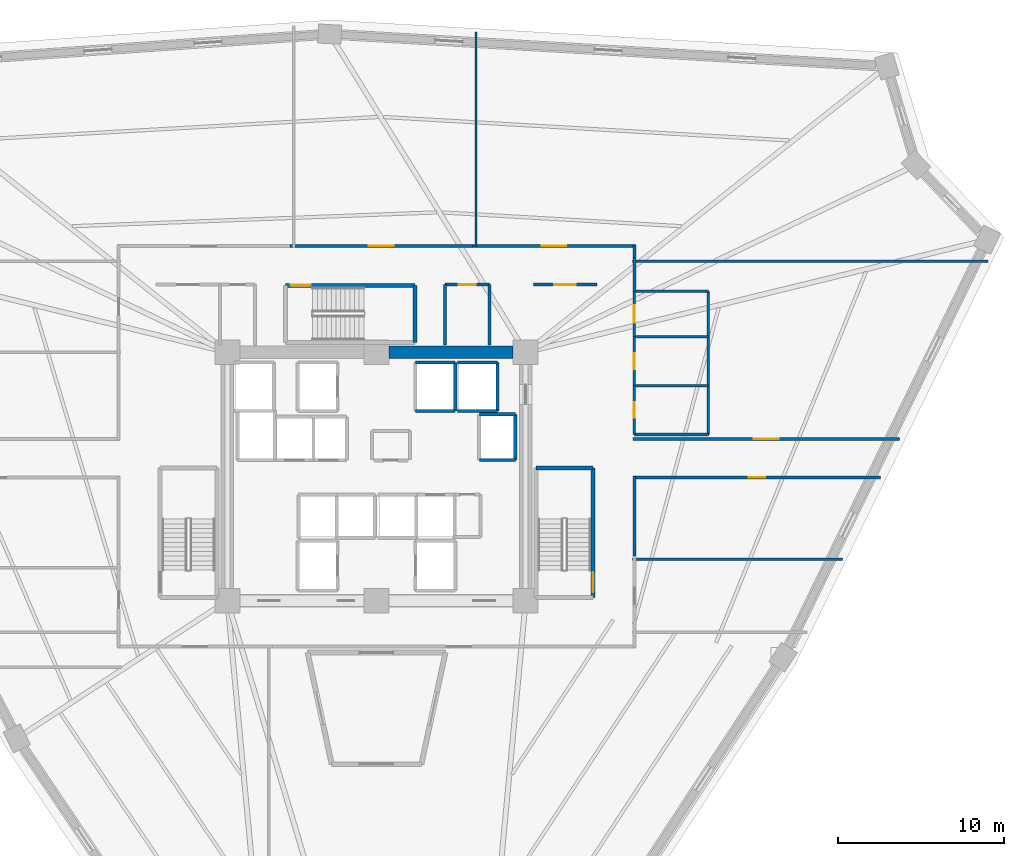
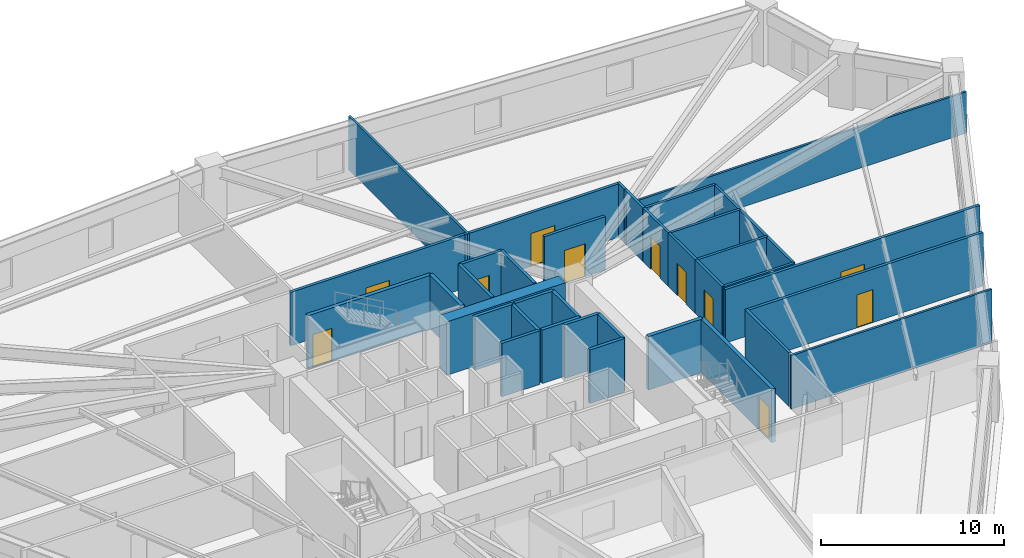
# One storey, part 6 of 9: 36 walls, 11 doors, 11 openings.
"""IFC4 building model written with IfcOpenShell, lengths in metres."""

from ifc_helpers import new_model, si_unit, direction, frame, frame_2d, origin, place, context, subcontext, project, spatial, rectangle, extrude, source, transform, mapped, material, layer, layer_set, type_object, element, fill, save


model = new_model("IFC4")

# Units and contexts
model_context = context("Model", 3, precision=1e-05, world=origin(), true_north=direction((0.0, 1.0)))
body_context = subcontext(model_context, "Body", "Model", "MODEL_VIEW")
ifc_project = project(units=[si_unit("LENGTHUNIT", "METRE"), si_unit("AREAUNIT", "SQUARE_METRE"), si_unit("VOLUMEUNIT", "CUBIC_METRE"), si_unit("PLANEANGLEUNIT", "RADIAN"), si_unit("MASSUNIT", "GRAM", prefix="KILO")], contexts=[model_context])

# Site, building, storey
site_placement = place(None, origin())
site = spatial("IfcSite", under=ifc_project, at=site_placement, CompositionType="ELEMENT")
building_placement = place(site_placement, origin())
building = spatial("IfcBuilding", under=site, at=building_placement, Name="Liaohun Quay Tower", CompositionType="ELEMENT")
storey_placement = place(building_placement, frame((0.0, 0.0, 102.0)))
storey = spatial("IfcBuildingStorey", under=building, at=storey_placement, Name="L26", CompositionType="ELEMENT", Elevation=102.0)

# Wall
ifc_material_1 = material(Name="Concrete C60", Category="concrete")
ifc_layer_1 = layer(ifc_material_1, 0.75, Name="Concrete C60", Category="concrete")
ifc_layer_set_1 = layer_set([ifc_layer_1], Name="Concrete C60")
wall_type_1 = type_object("IfcWallType", Name="WAL-COR-Z2", PredefinedType="SHEAR", material=ifc_layer_set_1)
wall_1_placement = place(storey_placement, frame((60.75, 61.5, 0.0), z_axis=(0.0, 0.0, 1.0), x_axis=(1.0, 0.0, 0.0)))
element("IfcWall", 1, at=wall_1_placement, inside=storey, type_object=wall_type_1, Name="L26 Central Core Shear Wall N-E", PredefinedType="SHEAR", context=body_context, shape_type="SweptSolid", body=[
    extrude(rectangle(XDim=7.5, YDim=0.75, at=frame_2d((3.75, 0.0))), origin(), (0.0, 0.0, 1.0), 3.570068359375),
])

# Wall, opening, door
ifc_material_2 = material(Name="Autoclaved aerated concrete blockwork", Category="masonry")
ifc_layer_2 = layer(ifc_material_2, 0.179931640625, Name="Autoclaved aerated concrete blockwork", Category="masonry")
ifc_layer_set_2 = layer_set([ifc_layer_2], Name="Autoclaved aerated concrete blockwork")
wall_type_2 = type_object("IfcWallType", Name="WAL-PRT-COR", PredefinedType="PARTITIONING", material=ifc_layer_set_2)
wall_2_placement = place(storey_placement, frame((64.139892578125, 65.580078125, 0.0), z_axis=(0.0, 0.0, 1.0), x_axis=(1.0, 0.0, 0.0)))
wall_2 = element("IfcWall", 2, at=wall_2_placement, inside=storey, type_object=wall_type_2, Name="L26 Interior Partition Wall 007", PredefinedType="PARTITIONING", context=body_context, shape_type="SweptSolid", body=[
    extrude(rectangle(XDim=2.670166015625, YDim=0.179931640625, at=frame_2d((1.3349609375, 0.0))), origin(), (0.0, 0.0, 1.0), 3.570068359375),
])
shared_shape_1 = source(origin(), body_context, "Body", "SweptSolid", [
    extrude(rectangle(XDim=1.0, YDim=2.199951171875, at=frame_2d((0.5, 1.10009765625))), frame((0.0, 0.099853515625, 0.0), z_axis=(0.0, -1.0, 0.0), x_axis=(1.0, 0.0, 0.0)), (0.0, 0.0, 1.0), 0.199951171875),
])
opening_1_placement = place(wall_2_placement, frame((0.8349609375, 0.0, 0.0)))
opening_1 = element("IfcOpeningElement", 3, at=opening_1_placement, cuts=wall_2, Name="Opening OD1", PredefinedType="OPENING", context=body_context, shape_type="MappedRepresentation", body=[
    mapped(shared_shape_1, transform((0.0, 0.0, 0.0), x_axis=(1.0, 0.0, 0.0), y_axis=(0.0, 1.0, 0.0), z_axis=(0.0, 0.0, 1.0), scale=1.0)),
])
ifc_material_3 = material(Name="Solid-core oak veneer timber leaf in steel frame", Category="steel")
door_type_1 = type_object("IfcDoorType", Name="DOR-OFF-1000", OperationType="NOTDEFINED", PredefinedType="DOOR", material=ifc_material_3)
shared_shape_2 = source(origin(), body_context, "Body", "SweptSolid", [
    extrude(rectangle(XDim=1.0, YDim=2.199951171875, at=frame_2d((0.5, 1.10009765625))), frame((0.0, 0.02490234375, 0.0), z_axis=(0.0, -1.0, 0.0), x_axis=(1.0, 0.0, 0.0)), (0.0, 0.0, 1.0), 0.050048828125),
])
door_1_placement = place(opening_1_placement, origin())
door_1 = element("IfcDoor", 4, at=door_1_placement, inside=storey, type_object=door_type_1, Name="L26 North-East Server Closet Door", OperationType="SINGLE_SWING_LEFT", OverallHeight=2.199951171875, OverallWidth=1.0, PredefinedType="DOOR", context=body_context, shape_type="MappedRepresentation", body=[
    mapped(shared_shape_2, transform((0.0, 0.0, 0.0), x_axis=(1.0, 0.0, 0.0), y_axis=(0.0, 1.0, 0.0), z_axis=(0.0, 0.0, 1.0), scale=1.0)),
])
fill(opening_1, door_1)

wall_3_placement = place(storey_placement, frame((69.4599609375, 65.580078125, 0.0), z_axis=(0.0, 0.0, 1.0), x_axis=(1.0, 0.0, 0.0)))
wall_3 = element("IfcWall", 5, at=wall_3_placement, inside=storey, type_object=wall_type_2, Name="L26 Interior Partition Wall 009", PredefinedType="PARTITIONING", context=body_context, shape_type="SweptSolid", body=[
    extrude(rectangle(XDim=3.840087890625, YDim=0.179931640625, at=frame_2d((1.919921875, 0.0))), origin(), (0.0, 0.0, 1.0), 3.570068359375),
])
shared_shape_3 = source(origin(), body_context, "Body", "SweptSolid", [
    extrude(rectangle(XDim=1.300048828125, YDim=2.199951171875, at=frame_2d((0.64990234375, 1.10009765625))), frame((0.0, 0.099853515625, 0.0), z_axis=(0.0, -1.0, 0.0), x_axis=(1.0, 0.0, 0.0)), (0.0, 0.0, 1.0), 0.199951171875),
])
opening_2_placement = place(wall_3_placement, frame((1.27001953125, 0.0, 0.0)))
opening_2 = element("IfcOpeningElement", 6, at=opening_2_placement, cuts=wall_3, Name="Opening FD1", PredefinedType="OPENING", context=body_context, shape_type="MappedRepresentation", body=[
    mapped(shared_shape_3, transform((0.0, 0.0, 0.0), x_axis=(1.0, 0.0, 0.0), y_axis=(0.0, 1.0, 0.0), z_axis=(0.0, 0.0, 1.0), scale=1.0)),
])
ifc_material_4 = material(Name="Galvanised steel smokeproof fire door", Category="steel")
door_type_2 = type_object("IfcDoorType", Name="DOR-FFL-1300", OperationType="NOTDEFINED", PredefinedType="DOOR", material=ifc_material_4)
shared_shape_4 = source(origin(), body_context, "Body", "SweptSolid", [
    extrude(rectangle(XDim=1.300048828125, YDim=2.199951171875, at=frame_2d((0.64990234375, 1.10009765625))), frame((0.0, 0.02490234375, 0.0), z_axis=(0.0, -1.0, 0.0), x_axis=(1.0, 0.0, 0.0)), (0.0, 0.0, 1.0), 0.050048828125),
])
door_2_placement = place(opening_2_placement, origin())
door_2 = element("IfcDoor", 7, at=door_2_placement, inside=storey, type_object=door_type_2, Name="L26 East Core Vestibule Door", OperationType="SINGLE_SWING_LEFT", OverallHeight=2.199951171875, OverallWidth=1.300048828125, PredefinedType="DOOR", context=body_context, shape_type="MappedRepresentation", body=[
    mapped(shared_shape_4, transform((0.0, 0.0, 0.0), x_axis=(1.0, 0.0, 0.0), y_axis=(0.0, 1.0, 0.0), z_axis=(0.0, 0.0, 1.0), scale=1.0)),
])
fill(opening_2, door_2)

wall_4_placement = place(storey_placement, frame((75.489990234375, 56.260009765625, 0.0), z_axis=(0.0, 0.0, 1.0), x_axis=(1.0, 0.0, 0.0)))
wall_4 = element("IfcWall", 8, at=wall_4_placement, inside=storey, type_object=wall_type_2, Name="L26 Interior Partition Wall 010", PredefinedType="PARTITIONING", context=body_context, shape_type="SweptSolid", body=[
    extrude(rectangle(XDim=16.06689453125, YDim=0.179931640625, at=frame_2d((8.033447265625, 0.0))), origin(), (0.0, 0.0, 1.0), 3.570068359375),
])
shared_shape_5 = source(origin(), body_context, "Body", "SweptSolid", [
    extrude(rectangle(XDim=1.5, YDim=2.199951171875, at=frame_2d((0.75, 1.10009765625))), frame((0.0, 0.099853515625, 0.0), z_axis=(0.0, -1.0, 0.0), x_axis=(1.0, 0.0, 0.0)), (0.0, 0.0, 1.0), 0.199951171875),
])
opening_3_placement = place(wall_4_placement, frame((7.283935546875, 0.0, 0.0)))
opening_3 = element("IfcOpeningElement", 9, at=opening_3_placement, cuts=wall_4, Name="Opening OD2", PredefinedType="OPENING", context=body_context, shape_type="MappedRepresentation", body=[
    mapped(shared_shape_5, transform((0.0, 0.0, 0.0), x_axis=(1.0, 0.0, 0.0), y_axis=(0.0, 1.0, 0.0), z_axis=(0.0, 0.0, 1.0), scale=1.0)),
])
ifc_material_5 = material(Name="Acoustic oak veneer double door")
door_type_3 = type_object("IfcDoorType", Name="DOR-OFF-1500", OperationType="DOUBLE_DOOR_SINGLE_SWING", PredefinedType="DOOR", material=ifc_material_5)
shared_shape_6 = source(origin(), body_context, "Body", "SweptSolid", [
    extrude(rectangle(XDim=1.5, YDim=2.199951171875, at=frame_2d((0.75, 1.10009765625))), frame((0.0, 0.02490234375, 0.0), z_axis=(0.0, -1.0, 0.0), x_axis=(1.0, 0.0, 0.0)), (0.0, 0.0, 1.0), 0.050048828125),
])
door_3_placement = place(opening_3_placement, origin())
door_3 = element("IfcDoor", 10, at=door_3_placement, inside=storey, type_object=door_type_3, Name="L26 Architectural Design Studio 01 Door", OperationType="DOUBLE_DOOR_SINGLE_SWING", OverallHeight=2.199951171875, OverallWidth=1.5, PredefinedType="DOOR", context=body_context, shape_type="MappedRepresentation", body=[
    mapped(shared_shape_6, transform((0.0, 0.0, 0.0), x_axis=(1.0, 0.0, 0.0), y_axis=(0.0, 1.0, 0.0), z_axis=(0.0, 0.0, 1.0), scale=1.0)),
])
fill(opening_3, door_3)

wall_5_placement = place(storey_placement, frame((65.784912109375, 67.909912109375, 0.0), z_axis=(0.0, 0.0, 1.0), x_axis=(1.0, 0.0, 0.0)))
wall_5 = element("IfcWall", 11, at=wall_5_placement, inside=storey, type_object=wall_type_2, Name="L26 Interior Partition Wall 011", PredefinedType="PARTITIONING", context=body_context, shape_type="SweptSolid", body=[
    extrude(rectangle(XDim=9.844970703125, YDim=0.179931640625, at=frame_2d((4.92236328125, 0.0))), origin(), (0.0, 0.0, 1.0), 3.570068359375),
])
opening_4_placement = place(wall_5_placement, frame((4.172119140625, 0.0, 0.0)))
opening_4 = element("IfcOpeningElement", 12, at=opening_4_placement, cuts=wall_5, Name="Opening OD2", PredefinedType="OPENING", context=body_context, shape_type="MappedRepresentation", body=[
    mapped(shared_shape_5, transform((0.0, 0.0, 0.0), x_axis=(1.0, 0.0, 0.0), y_axis=(0.0, 1.0, 0.0), z_axis=(0.0, 0.0, 1.0), scale=1.0)),
])
door_4_placement = place(opening_4_placement, origin())
door_4 = element("IfcDoor", 13, at=door_4_placement, inside=storey, type_object=door_type_3, Name="L26 Corporate Exhibition Gallery 02 Door", OperationType="DOUBLE_DOOR_SINGLE_SWING", OverallHeight=2.199951171875, OverallWidth=1.5, PredefinedType="DOOR", context=body_context, shape_type="MappedRepresentation", body=[
    mapped(shared_shape_6, transform((0.0, 0.0, 0.0), x_axis=(1.0, 0.0, 0.0), y_axis=(0.0, 1.0, 0.0), z_axis=(0.0, 0.0, 1.0), scale=1.0)),
])
fill(opening_4, door_4)

wall_6_placement = place(storey_placement, frame((54.784912109375, 67.909912109375, 0.0), z_axis=(0.0, 0.0, 1.0), x_axis=(1.0, 0.0, 0.0)))
wall_6 = element("IfcWall", 14, at=wall_6_placement, inside=storey, type_object=wall_type_2, Name="L26 Interior Partition Wall 012", PredefinedType="PARTITIONING", context=body_context, shape_type="SweptSolid", body=[
    extrude(rectangle(XDim=11.0, YDim=0.179931640625, at=frame_2d((5.5, 0.0))), origin(), (0.0, 0.0, 1.0), 3.570068359375),
])
opening_5_placement = place(wall_6_placement, frame((4.75, 0.0, 0.0)))
opening_5 = element("IfcOpeningElement", 15, at=opening_5_placement, cuts=wall_6, Name="Opening OD2", PredefinedType="OPENING", context=body_context, shape_type="MappedRepresentation", body=[
    mapped(shared_shape_5, transform((0.0, 0.0, 0.0), x_axis=(1.0, 0.0, 0.0), y_axis=(0.0, 1.0, 0.0), z_axis=(0.0, 0.0, 1.0), scale=1.0)),
])
door_5_placement = place(opening_5_placement, origin())
door_5 = element("IfcDoor", 16, at=door_5_placement, inside=storey, type_object=door_type_3, Name="L26 Architectural Design Studio 03 Door", OperationType="DOUBLE_DOOR_SINGLE_SWING", OverallHeight=2.199951171875, OverallWidth=1.5, PredefinedType="DOOR", context=body_context, shape_type="MappedRepresentation", body=[
    mapped(shared_shape_6, transform((0.0, 0.0, 0.0), x_axis=(1.0, 0.0, 0.0), y_axis=(0.0, 1.0, 0.0), z_axis=(0.0, 0.0, 1.0), scale=1.0)),
])
fill(opening_5, door_5)

wall_7_placement = place(storey_placement, frame((90.424072265625, 53.93994140625, 0.0), z_axis=(0.0, 0.0, 1.0), x_axis=(-1.0, 0.0, 0.0)))
wall_7 = element("IfcWall", 17, at=wall_7_placement, inside=storey, type_object=wall_type_2, Name="L26 Interior Partition Wall 021", PredefinedType="PARTITIONING", context=body_context, shape_type="SweptSolid", body=[
    extrude(rectangle(XDim=14.93408203125, YDim=0.179931640625, at=frame_2d((7.467041015625, 0.0))), origin(), (0.0, 0.0, 1.0), 3.570068359375),
])
opening_6_placement = place(wall_7_placement, frame((6.967041015625, 0.0, 0.0)))
opening_6 = element("IfcOpeningElement", 18, at=opening_6_placement, cuts=wall_7, Name="Opening OD1", PredefinedType="OPENING", context=body_context, shape_type="MappedRepresentation", body=[
    mapped(shared_shape_1, transform((0.0, 0.0, 0.0), x_axis=(1.0, 0.0, 0.0), y_axis=(0.0, 1.0, 0.0), z_axis=(0.0, 0.0, 1.0), scale=1.0)),
])
door_6_placement = place(opening_6_placement, origin())
door_6 = element("IfcDoor", 19, at=door_6_placement, inside=storey, type_object=door_type_1, Name="L26 Client Reception Office 12 Door", OperationType="SINGLE_SWING_LEFT", OverallHeight=2.199951171875, OverallWidth=1.0, PredefinedType="DOOR", context=body_context, shape_type="MappedRepresentation", body=[
    mapped(shared_shape_2, transform((0.0, 0.0, 0.0), x_axis=(1.0, 0.0, 0.0), y_axis=(0.0, 1.0, 0.0), z_axis=(0.0, 0.0, 1.0), scale=1.0)),
])
fill(opening_6, door_6)

# Walls
for number, where, z_axis, x_axis, name in (
    (20, (64.139892578125, 61.949951171875, 0.0), (0.0, 0.0, 1.0), (0.0, 1.0, 0.0), "L26 Interior Partition Wall 034"),
    (21, (66.81005859375, 61.949951171875, 0.0), (0.0, 0.0, 1.0), (0.0, 1.0, 0.0), "L26 Interior Partition Wall 035"),
):
    element("IfcWall", number, at=place(storey_placement, frame(where, z_axis=z_axis, x_axis=x_axis)), inside=storey, type_object=wall_type_2, Name=name, PredefinedType="PARTITIONING", context=body_context, shape_type="SweptSolid", body=[
        extrude(rectangle(XDim=3.630126953125, YDim=0.179931640625, at=frame_2d((1.81494140625, 0.0))), origin(), (0.0, 0.0, 1.0), 3.570068359375),
    ])
wall_8_placement = place(storey_placement, frame((75.56005859375, 67.215087890625, 0.0), z_axis=(0.0, 0.0, 1.0), x_axis=(0.0, -1.0, 0.0)))
element("IfcWall", 22, at=wall_8_placement, inside=storey, type_object=wall_type_2, Name="L26 Interior Partition Wall 036", PredefinedType="PARTITIONING", context=body_context, shape_type="SweptSolid", body=[
    extrude(rectangle(XDim=2.03515625, YDim=0.179931640625, at=frame_2d((1.017578125, 0.0))), origin(), (0.0, 0.0, 1.0), 3.570068359375),
])
wall_9_placement = place(storey_placement, frame((75.56005859375, 67.97998046875, 0.0), z_axis=(0.0, 0.0, 1.0), x_axis=(0.0, -1.0, 0.0)))
element("IfcWall", 23, at=wall_9_placement, inside=storey, type_object=wall_type_2, Name="L26 Interior Partition Wall 037", PredefinedType="PARTITIONING", context=body_context, shape_type="SweptSolid", body=[
    extrude(rectangle(XDim=0.764892578125, YDim=0.179931640625, at=frame_2d((0.38232421875, 0.0))), origin(), (0.0, 0.0, 1.0), 3.570068359375),
])
wall_10_placement = place(storey_placement, frame((75.56005859375, 54.010009765625, 0.0), z_axis=(0.0, 0.0, 1.0), x_axis=(0.0, -1.0, 0.0)))
element("IfcWall", 24, at=wall_10_placement, inside=storey, type_object=wall_type_2, Name="L26 Interior Partition Wall 043", PredefinedType="PARTITIONING", context=body_context, shape_type="SweptSolid", body=[
    extrude(rectangle(XDim=4.794921875, YDim=0.179931640625, at=frame_2d((2.3974609375, 0.0))), origin(), (0.0, 0.0, 1.0), 3.570068359375),
])
ifc_material_6 = material(Name="Gypsum board on twin steel studs", Category="steel")
ifc_layer_3 = layer(ifc_material_6, 0.139892578125, Name="Gypsum board on twin steel studs", Category="steel")
ifc_layer_set_3 = layer_set([ifc_layer_3], Name="Gypsum board on twin steel studs")
wall_type_3 = type_object("IfcWallType", Name="WAL-PRT-OFF", PredefinedType="PARTITIONING", material=ifc_layer_set_3)
wall_11_placement = place(storey_placement, frame((75.4599609375, 49.0, 0.0), z_axis=(0.0, 0.0, 1.0), x_axis=(1.0, 0.0, 0.0)))
element("IfcWall", 25, at=wall_11_placement, inside=storey, type_object=wall_type_3, Name="L26 Interior Partition Wall 050", PredefinedType="PARTITIONING", context=body_context, shape_type="SweptSolid", body=[
    extrude(rectangle(XDim=12.657958984375, YDim=0.139892578125, at=frame_2d((6.3291015625, 0.0))), origin(), (0.0, 0.0, 1.0), 3.570068359375),
])
wall_12_placement = place(storey_placement, frame((75.4599609375, 67.0, 0.0), z_axis=(0.0, 0.0, 1.0), x_axis=(1.0, 0.0, 0.0)))
element("IfcWall", 26, at=wall_12_placement, inside=storey, type_object=wall_type_3, Name="L26 Interior Partition Wall 051", PredefinedType="PARTITIONING", context=body_context, shape_type="SweptSolid", body=[
    extrude(rectangle(XDim=21.453125, YDim=0.139892578125, at=frame_2d((10.7265625, 0.0))), origin(), (0.0, 0.0, 1.0), 2.7548828125),
])
wall_13_placement = place(storey_placement, frame((66.0, 67.81005859375, 0.0), z_axis=(0.0, 0.0, 1.0), x_axis=(0.0, 1.0, 0.0)))
element("IfcWall", 27, at=wall_13_placement, inside=storey, type_object=wall_type_3, Name="L26 Interior Partition Wall 053", PredefinedType="PARTITIONING", context=body_context, shape_type="SweptSolid", body=[
    extrude(rectangle(XDim=13.008056640625, YDim=0.139892578125, at=frame_2d((6.50390625, 0.0))), origin(), (0.0, 0.0, 1.0), 3.570068359375),
])

# Wall, opening, door
ifc_material_7 = material(Name="Moisture-resistant masonry blockwork", Category="masonry")
ifc_layer_4 = layer(ifc_material_7, 0.159912109375, Name="Moisture-resistant masonry blockwork", Category="masonry")
ifc_layer_set_4 = layer_set([ifc_layer_4], Name="Moisture-resistant masonry blockwork")
wall_type_4 = type_object("IfcWallType", Name="WAL-PRT-WET", PredefinedType="PARTITIONING", material=ifc_layer_set_4)
wall_14_placement = place(storey_placement, frame((75.56005859375, 56.5400390625, 0.0), z_axis=(0.0, 0.0, 1.0), x_axis=(0.0, 1.0, 0.0)))
wall_14 = element("IfcWall", 28, at=wall_14_placement, inside=storey, type_object=wall_type_4, Name="L26 Interior Partition Wall 003", PredefinedType="PARTITIONING", context=body_context, shape_type="SweptSolid", body=[
    extrude(rectangle(XDim=2.93994140625, YDim=0.159912109375, at=frame_2d((1.469970703125, 0.0))), origin(), (0.0, 0.0, 1.0), 3.570068359375),
])
shared_shape_7 = source(origin(), body_context, "Body", "SweptSolid", [
    extrude(rectangle(XDim=0.949951171875, YDim=2.14990234375, at=frame_2d((0.47509765625, 1.074951171875))), frame((0.0, 0.08984375, 0.0), z_axis=(0.0, -1.0, 0.0), x_axis=(1.0, 0.0, 0.0)), (0.0, 0.0, 1.0), 0.179931640625),
])
opening_7_placement = place(wall_14_placement, frame((0.9951171875, 0.0, 0.0)))
opening_7 = element("IfcOpeningElement", 29, at=opening_7_placement, cuts=wall_14, Name="Opening WD1", PredefinedType="OPENING", context=body_context, shape_type="MappedRepresentation", body=[
    mapped(shared_shape_7, transform((0.0, 0.0, 0.0), x_axis=(1.0, 0.0, 0.0), y_axis=(0.0, 1.0, 0.0), z_axis=(0.0, 0.0, 1.0), scale=1.0)),
])
ifc_material_8 = material(Name="Moisture-resistant laminate timber leaf", Category="wood")
door_type_4 = type_object("IfcDoorType", Name="DOR-WC-950", OperationType="NOTDEFINED", PredefinedType="DOOR", material=ifc_material_8)
shared_shape_8 = source(origin(), body_context, "Body", "SweptSolid", [
    extrude(rectangle(XDim=0.949951171875, YDim=2.14990234375, at=frame_2d((0.47509765625, 1.074951171875))), frame((0.0, 0.02490234375, 0.0), z_axis=(0.0, -1.0, 0.0), x_axis=(1.0, 0.0, 0.0)), (0.0, 0.0, 1.0), 0.050048828125),
])
door_7_placement = place(opening_7_placement, origin())
door_7 = element("IfcDoor", 30, at=door_7_placement, inside=storey, type_object=door_type_4, Name="L26 Male Restroom WC Door", OperationType="SINGLE_SWING_LEFT", OverallHeight=2.14990234375, OverallWidth=0.949951171875, PredefinedType="DOOR", context=body_context, shape_type="MappedRepresentation", body=[
    mapped(shared_shape_8, transform((0.0, 0.0, 0.0), x_axis=(1.0, 0.0, 0.0), y_axis=(0.0, 1.0, 0.0), z_axis=(0.0, 0.0, 1.0), scale=1.0)),
])
fill(opening_7, door_7)

wall_15_placement = place(storey_placement, frame((75.56005859375, 59.47998046875, 0.0), z_axis=(0.0, 0.0, 1.0), x_axis=(0.0, 1.0, 0.0)))
wall_15 = element("IfcWall", 31, at=wall_15_placement, inside=storey, type_object=wall_type_4, Name="L26 Interior Partition Wall 004", PredefinedType="PARTITIONING", context=body_context, shape_type="SweptSolid", body=[
    extrude(rectangle(XDim=2.9599609375, YDim=0.159912109375, at=frame_2d((1.47998046875, 0.0))), origin(), (0.0, 0.0, 1.0), 3.570068359375),
])
opening_8_placement = place(wall_15_placement, frame((1.0048828125, 0.0, 0.0)))
opening_8 = element("IfcOpeningElement", 32, at=opening_8_placement, cuts=wall_15, Name="Opening WD1", PredefinedType="OPENING", context=body_context, shape_type="MappedRepresentation", body=[
    mapped(shared_shape_7, transform((0.0, 0.0, 0.0), x_axis=(1.0, 0.0, 0.0), y_axis=(0.0, 1.0, 0.0), z_axis=(0.0, 0.0, 1.0), scale=1.0)),
])
door_8_placement = place(opening_8_placement, origin())
door_8 = element("IfcDoor", 33, at=door_8_placement, inside=storey, type_object=door_type_4, Name="L26 Female Restroom WC Door", OperationType="SINGLE_SWING_RIGHT", OverallHeight=2.14990234375, OverallWidth=0.949951171875, PredefinedType="DOOR", context=body_context, shape_type="MappedRepresentation", body=[
    mapped(shared_shape_8, transform((0.0, 0.0, 0.0), x_axis=(1.0, 0.0, 0.0), y_axis=(0.0, 1.0, 0.0), z_axis=(0.0, 0.0, 1.0), scale=1.0)),
])
fill(opening_8, door_8)

wall_16_placement = place(storey_placement, frame((75.56005859375, 62.43994140625, 0.0), z_axis=(0.0, 0.0, 1.0), x_axis=(0.0, 1.0, 0.0)))
wall_16 = element("IfcWall", 34, at=wall_16_placement, inside=storey, type_object=wall_type_4, Name="L26 Interior Partition Wall 005", PredefinedType="PARTITIONING", context=body_context, shape_type="SweptSolid", body=[
    extrude(rectangle(XDim=2.739990234375, YDim=0.159912109375, at=frame_2d((1.3701171875, 0.0))), origin(), (0.0, 0.0, 1.0), 3.570068359375),
])
shared_shape_9 = source(origin(), body_context, "Body", "SweptSolid", [
    extrude(rectangle(XDim=1.050048828125, YDim=2.14990234375, at=frame_2d((0.52490234375, 1.074951171875))), frame((0.0, 0.08984375, 0.0), z_axis=(0.0, -1.0, 0.0), x_axis=(1.0, 0.0, 0.0)), (0.0, 0.0, 1.0), 0.179931640625),
])
opening_9_placement = place(wall_16_placement, frame((0.844970703125, 0.0, 0.0)))
opening_9 = element("IfcOpeningElement", 35, at=opening_9_placement, cuts=wall_16, Name="Opening WD2", PredefinedType="OPENING", context=body_context, shape_type="MappedRepresentation", body=[
    mapped(shared_shape_9, transform((0.0, 0.0, 0.0), x_axis=(1.0, 0.0, 0.0), y_axis=(0.0, 1.0, 0.0), z_axis=(0.0, 0.0, 1.0), scale=1.0)),
])
ifc_material_9 = material(Name="Accessible outward-swinging laminate door")
door_type_5 = type_object("IfcDoorType", Name="DOR-AWC-1050", OperationType="NOTDEFINED", PredefinedType="DOOR", material=ifc_material_9)
shared_shape_10 = source(origin(), body_context, "Body", "SweptSolid", [
    extrude(rectangle(XDim=1.050048828125, YDim=2.14990234375, at=frame_2d((0.52490234375, 1.074951171875))), frame((0.0, 0.02490234375, 0.0), z_axis=(0.0, -1.0, 0.0), x_axis=(1.0, 0.0, 0.0)), (0.0, 0.0, 1.0), 0.050048828125),
])
door_9_placement = place(opening_9_placement, origin())
door_9 = element("IfcDoor", 36, at=door_9_placement, inside=storey, type_object=door_type_5, Name="L26 Accessible WC Door", OperationType="SINGLE_SWING_LEFT", OverallHeight=2.14990234375, OverallWidth=1.050048828125, PredefinedType="DOOR", context=body_context, shape_type="MappedRepresentation", body=[
    mapped(shared_shape_10, transform((0.0, 0.0, 0.0), x_axis=(1.0, 0.0, 0.0), y_axis=(0.0, 1.0, 0.0), z_axis=(0.0, 0.0, 1.0), scale=1.0)),
])
fill(opening_9, door_9)

# Walls
wall_17_placement = place(storey_placement, frame((80.02001953125, 56.5400390625, 0.0), z_axis=(0.0, 0.0, 1.0), x_axis=(0.0, 1.0, 0.0)))
element("IfcWall", 37, at=wall_17_placement, inside=storey, type_object=wall_type_4, Name="L26 Interior Partition Wall 027", PredefinedType="PARTITIONING", context=body_context, shape_type="SweptSolid", body=[
    extrude(rectangle(XDim=8.639892578125, YDim=0.159912109375, at=frame_2d((4.31982421875, 0.0))), origin(), (0.0, 0.0, 1.0), 3.570068359375),
])
for number, where, z_axis, x_axis, name in (
    (38, (75.56005859375, 56.5400390625, 0.0), (0.0, 0.0, 1.0), (1.0, 0.0, 0.0), "L26 Interior Partition Wall 028"),
    (39, (75.56005859375, 59.47998046875, 0.0), (0.0, 0.0, 1.0), (1.0, 0.0, 0.0), "L26 Interior Partition Wall 029"),
    (40, (75.56005859375, 62.43994140625, 0.0), (0.0, 0.0, 1.0), (1.0, 0.0, 0.0), "L26 Interior Partition Wall 030"),
    (41, (75.56005859375, 65.179931640625, 0.0), (0.0, 0.0, 1.0), (1.0, 0.0, 0.0), "L26 Interior Partition Wall 031"),
):
    element("IfcWall", number, at=place(storey_placement, frame(where, z_axis=z_axis, x_axis=x_axis)), inside=storey, type_object=wall_type_4, Name=name, PredefinedType="PARTITIONING", context=body_context, shape_type="SweptSolid", body=[
        extrude(rectangle(XDim=4.4599609375, YDim=0.159912109375, at=frame_2d((2.22998046875, 0.0))), origin(), (0.0, 0.0, 1.0), 3.570068359375),
    ])

# Wall, opening, door
ifc_material_10 = material(Name="Concrete C50", Category="concrete")
ifc_layer_5 = layer(ifc_material_10, 0.239990234375, Name="Concrete C50", Category="concrete")
ifc_layer_set_5 = layer_set([ifc_layer_5], Name="Concrete C50")
wall_type_5 = type_object("IfcWallType", Name="WAL-SHF-200", PredefinedType="SOLIDWALL", material=ifc_layer_set_5)
wall_18_placement = place(storey_placement, frame((73.06005859375, 46.699951171875, 0.0), z_axis=(0.0, 0.0, 1.0), x_axis=(0.0, 1.0, 0.0)))
wall_18 = element("IfcWall", 42, at=wall_18_placement, inside=storey, type_object=wall_type_5, Name="L26 Stairwell ST-2 Structural Core Wall E", PredefinedType="SOLIDWALL", context=body_context, shape_type="SweptSolid", body=[
    extrude(rectangle(XDim=7.820068359375, YDim=0.239990234375, at=frame_2d((3.91015625, 0.0))), origin(), (0.0, 0.0, 1.0), 3.570068359375),
])
shared_shape_11 = source(origin(), body_context, "Body", "SweptSolid", [
    extrude(rectangle(XDim=1.199951171875, YDim=2.199951171875, at=frame_2d((0.60009765625, 1.10009765625))), frame((0.0, 0.1298828125, 0.0), z_axis=(0.0, -1.0, 0.0), x_axis=(1.0, 0.0, 0.0)), (0.0, 0.0, 1.0), 0.260009765625),
])
opening_10_placement = place(wall_18_placement, frame((0.320068359375, 0.0, 0.0)))
opening_10 = element("IfcOpeningElement", 43, at=opening_10_placement, cuts=wall_18, Name="Opening SD1", PredefinedType="OPENING", context=body_context, shape_type="MappedRepresentation", body=[
    mapped(shared_shape_11, transform((0.0, 0.0, 0.0), x_axis=(1.0, 0.0, 0.0), y_axis=(0.0, 1.0, 0.0), z_axis=(0.0, 0.0, 1.0), scale=1.0)),
])
ifc_material_11 = material(Name="Galvanised steel fire door", Category="steel")
door_type_6 = type_object("IfcDoorType", Name="DOR-STR-1200", OperationType="NOTDEFINED", PredefinedType="DOOR", material=ifc_material_11)
shared_shape_12 = source(origin(), body_context, "Body", "SweptSolid", [
    extrude(rectangle(XDim=1.199951171875, YDim=2.199951171875, at=frame_2d((0.60009765625, 1.10009765625))), frame((0.0, 0.02490234375, 0.0), z_axis=(0.0, -1.0, 0.0), x_axis=(1.0, 0.0, 0.0)), (0.0, 0.0, 1.0), 0.050048828125),
])
door_10_placement = place(opening_10_placement, origin())
door_10 = element("IfcDoor", 44, at=door_10_placement, inside=storey, type_object=door_type_6, Name="L26 Protected Stair ST-2 Fire Door", OperationType="SINGLE_SWING_RIGHT", OverallHeight=2.199951171875, OverallWidth=1.199951171875, PredefinedType="DOOR", context=body_context, shape_type="MappedRepresentation", body=[
    mapped(shared_shape_12, transform((0.0, 0.0, 0.0), x_axis=(1.0, 0.0, 0.0), y_axis=(0.0, 1.0, 0.0), z_axis=(0.0, 0.0, 1.0), scale=1.0)),
])
fill(opening_10, door_10)

# Walls
for number, where, z_axis, x_axis, name in (
    (45, (73.06005859375, 54.52001953125, 0.0), (0.0, 0.0, 1.0), (-1.0, 0.0, 0.0), "L26 Stairwell ST-2 Structural Core Wall N"),
    (46, (62.320068359375, 62.10009765625, 0.0), (0.0, 0.0, 1.0), (0.0, 1.0, 0.0), "L26 Stairwell ST-3 Structural Core Wall E"),
):
    element("IfcWall", number, at=place(storey_placement, frame(where, z_axis=z_axis, x_axis=x_axis)), inside=storey, type_object=wall_type_5, Name=name, PredefinedType="SOLIDWALL", context=body_context, shape_type="SweptSolid", body=[
        extrude(rectangle(XDim=3.43994140625, YDim=0.239990234375, at=frame_2d((1.719970703125, 0.0))), origin(), (0.0, 0.0, 1.0), 3.570068359375),
    ])

# Wall, opening, door
wall_19_placement = place(storey_placement, frame((62.320068359375, 65.5400390625, 0.0), z_axis=(0.0, 0.0, 1.0), x_axis=(-1.0, 0.0, 0.0)))
wall_19 = element("IfcWall", 47, at=wall_19_placement, inside=storey, type_object=wall_type_5, Name="L26 Stairwell ST-3 Structural Core Wall N", PredefinedType="SOLIDWALL", context=body_context, shape_type="SweptSolid", body=[
    extrude(rectangle(XDim=7.820068359375, YDim=0.239990234375, at=frame_2d((3.91015625, 0.0))), origin(), (0.0, 0.0, 1.0), 3.570068359375),
])
opening_11_placement = place(wall_19_placement, frame((6.300048828125, 0.0, 0.0)))
opening_11 = element("IfcOpeningElement", 48, at=opening_11_placement, cuts=wall_19, Name="Opening SD1", PredefinedType="OPENING", context=body_context, shape_type="MappedRepresentation", body=[
    mapped(shared_shape_11, transform((0.0, 0.0, 0.0), x_axis=(1.0, 0.0, 0.0), y_axis=(0.0, 1.0, 0.0), z_axis=(0.0, 0.0, 1.0), scale=1.0)),
])
door_11_placement = place(opening_11_placement, origin())
door_11 = element("IfcDoor", 49, at=door_11_placement, inside=storey, type_object=door_type_6, Name="L26 Protected Stair ST-3 Fire Door", OperationType="SINGLE_SWING_RIGHT", OverallHeight=2.199951171875, OverallWidth=1.199951171875, PredefinedType="DOOR", context=body_context, shape_type="MappedRepresentation", body=[
    mapped(shared_shape_12, transform((0.0, 0.0, 0.0), x_axis=(1.0, 0.0, 0.0), y_axis=(0.0, 1.0, 0.0), z_axis=(0.0, 0.0, 1.0), scale=1.0)),
])
fill(opening_11, door_11)

# Walls
wall_20_placement = place(storey_placement, frame((62.35009765625, 57.949951171875, 0.0), z_axis=(0.0, 0.0, 1.0), x_axis=(1.0, 0.0, 0.0)))
element("IfcWall", 50, at=wall_20_placement, inside=storey, type_object=wall_type_5, Name="L26 Lift OB-01 Hoistway Wall S", PredefinedType="SOLIDWALL", context=body_context, shape_type="SweptSolid", body=[
    extrude(rectangle(XDim=2.39990234375, YDim=0.199951171875, at=frame_2d((1.199951171875, 0.0))), origin(), (0.0, 0.0, 1.0), 3.570068359375),
])
wall_21_placement = place(storey_placement, frame((64.75, 57.949951171875, 0.0), z_axis=(0.0, 0.0, 1.0), x_axis=(0.0, 1.0, 0.0)))
element("IfcWall", 51, at=wall_21_placement, inside=storey, type_object=wall_type_5, Name="L26 Lift OB-01 Hoistway Wall E", PredefinedType="SOLIDWALL", context=body_context, shape_type="SweptSolid", body=[
    extrude(rectangle(XDim=2.929931640625, YDim=0.199951171875, at=frame_2d((1.46484375, 0.0))), origin(), (0.0, 0.0, 1.0), 3.570068359375),
])
wall_22_placement = place(storey_placement, frame((64.75, 60.8798828125, 0.0), z_axis=(0.0, 0.0, 1.0), x_axis=(-1.0, 0.0, 0.0)))
element("IfcWall", 52, at=wall_22_placement, inside=storey, type_object=wall_type_5, Name="L26 Lift OB-01 Hoistway Wall N", PredefinedType="SOLIDWALL", context=body_context, shape_type="SweptSolid", body=[
    extrude(rectangle(XDim=2.39990234375, YDim=0.199951171875, at=frame_2d((1.199951171875, 0.0))), origin(), (0.0, 0.0, 1.0), 3.570068359375),
])
wall_23_placement = place(storey_placement, frame((64.89990234375, 57.949951171875, 0.0), z_axis=(0.0, 0.0, 1.0), x_axis=(1.0, 0.0, 0.0)))
element("IfcWall", 53, at=wall_23_placement, inside=storey, type_object=wall_type_5, Name="L26 Lift OB-02 Hoistway Wall S", PredefinedType="SOLIDWALL", context=body_context, shape_type="SweptSolid", body=[
    extrude(rectangle(XDim=2.400146484375, YDim=0.199951171875, at=frame_2d((1.2001953125, 0.0))), origin(), (0.0, 0.0, 1.0), 3.570068359375),
])
wall_24_placement = place(storey_placement, frame((67.300048828125, 57.949951171875, 0.0), z_axis=(0.0, 0.0, 1.0), x_axis=(0.0, 1.0, 0.0)))
element("IfcWall", 54, at=wall_24_placement, inside=storey, type_object=wall_type_5, Name="L26 Lift OB-02 Hoistway Wall E", PredefinedType="SOLIDWALL", context=body_context, shape_type="SweptSolid", body=[
    extrude(rectangle(XDim=2.929931640625, YDim=0.199951171875, at=frame_2d((1.46484375, 0.0))), origin(), (0.0, 0.0, 1.0), 3.570068359375),
])
wall_25_placement = place(storey_placement, frame((67.300048828125, 60.8798828125, 0.0), z_axis=(0.0, 0.0, 1.0), x_axis=(-1.0, 0.0, 0.0)))
element("IfcWall", 55, at=wall_25_placement, inside=storey, type_object=wall_type_5, Name="L26 Lift OB-02 Hoistway Wall N", PredefinedType="SOLIDWALL", context=body_context, shape_type="SweptSolid", body=[
    extrude(rectangle(XDim=2.400146484375, YDim=0.199951171875, at=frame_2d((1.2001953125, 0.0))), origin(), (0.0, 0.0, 1.0), 3.570068359375),
])
wall_26_placement = place(storey_placement, frame((66.199951171875, 55.0, 0.0), z_axis=(0.0, 0.0, 1.0), x_axis=(1.0, 0.0, 0.0)))
element("IfcWall", 56, at=wall_26_placement, inside=storey, type_object=wall_type_5, Name="L26 Lift SH-03 Hoistway Wall S", PredefinedType="SOLIDWALL", context=body_context, shape_type="SweptSolid", body=[
    extrude(rectangle(XDim=2.179931640625, YDim=0.199951171875, at=frame_2d((1.08984375, 0.0))), origin(), (0.0, 0.0, 1.0), 3.570068359375),
])
wall_27_placement = place(storey_placement, frame((68.3798828125, 55.0, 0.0), z_axis=(0.0, 0.0, 1.0), x_axis=(0.0, 1.0, 0.0)))
element("IfcWall", 57, at=wall_27_placement, inside=storey, type_object=wall_type_5, Name="L26 Lift SH-03 Hoistway Wall E", PredefinedType="SOLIDWALL", context=body_context, shape_type="SweptSolid", body=[
    extrude(rectangle(XDim=2.75, YDim=0.199951171875, at=frame_2d((1.375, 0.0))), origin(), (0.0, 0.0, 1.0), 3.570068359375),
])
wall_28_placement = place(storey_placement, frame((68.3798828125, 57.75, 0.0), z_axis=(0.0, 0.0, 1.0), x_axis=(-1.0, 0.0, 0.0)))
element("IfcWall", 58, at=wall_28_placement, inside=storey, type_object=wall_type_5, Name="L26 Lift SH-03 Hoistway Wall N", PredefinedType="SOLIDWALL", context=body_context, shape_type="SweptSolid", body=[
    extrude(rectangle(XDim=2.179931640625, YDim=0.199951171875, at=frame_2d((1.08984375, 0.0))), origin(), (0.0, 0.0, 1.0), 3.570068359375),
])

save(model, "model.ifc")
